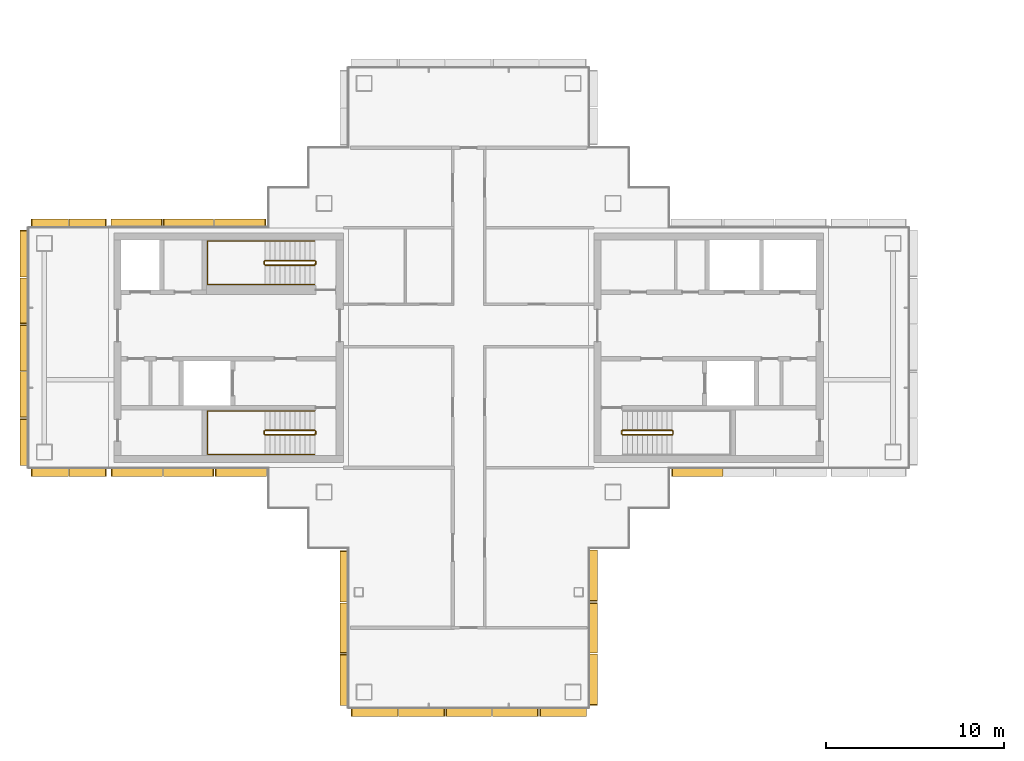
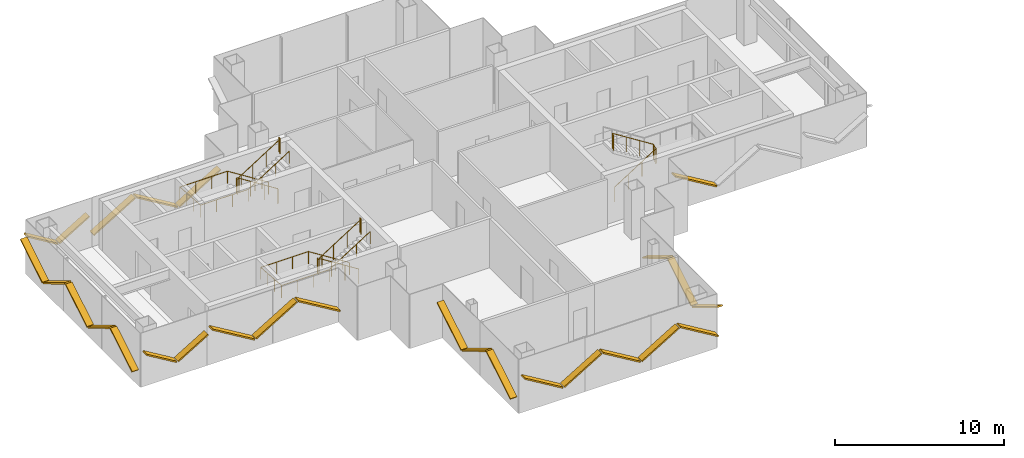
# One storey, part 14 of 17: 27 shading devices, 5 railings.
"""IFC4 building model written with IfcOpenShell, lengths in metres."""

from ifc_helpers import new_model, si_unit, direction, frame, origin, origin_2d, place, context, subcontext, project, spatial, rectangle, circle, extrude, material, material_profile, profile_set, type_object, element, save


model = new_model("IFC4")

# Units and contexts
model_context = context("Model", 3, precision=1e-05, world=origin(), true_north=direction((0.0, 1.0)))
body_context = subcontext(model_context, "Body", "Model", "MODEL_VIEW")
ifc_project = project(units=[si_unit("LENGTHUNIT", "METRE"), si_unit("AREAUNIT", "SQUARE_METRE"), si_unit("VOLUMEUNIT", "CUBIC_METRE"), si_unit("PLANEANGLEUNIT", "RADIAN"), si_unit("MASSUNIT", "GRAM", prefix="KILO")], contexts=[model_context])

# Site, building, storey
site_placement = place(None, origin())
site = spatial("IfcSite", under=ifc_project, at=site_placement, CompositionType="ELEMENT")
building_placement = place(site_placement, origin())
building = spatial("IfcBuilding", under=site, at=building_placement, Name="Shamsa Quay Exchange Towers", CompositionType="ELEMENT")
storey_placement = place(building_placement, frame((0.0, 0.0, 238.199951171875)))
storey = spatial("IfcBuildingStorey", under=building, at=storey_placement, Name="L57", CompositionType="ELEMENT", Elevation=238.199951171875)

# Shading devices
ifc_material_1 = material(Name="Aluminium EN AW-6063 T6, black anodised", Category="aluminium")
ifc_material_profile = material_profile(ifc_material_1, rectangle(XDim=0.449951171875, YDim=0.10009765625, at=origin_2d()), Name="FIN450x100")
ifc_profile_set = profile_set([ifc_material_profile], Name="Aluminium EN AW-6063 T6, black anodised")
shading_device_type = type_object("IfcShadingDeviceType", Name="FIN 450x100 BLACK ALUMINIUM", PredefinedType="USERDEFINED", material=ifc_profile_set)
shading_device_1_placement = place(storey_placement, frame((-40.764892578125, -11.43798828125, 2.452392578125), z_axis=(0.0, -0.857173881605, -0.51502712229), x_axis=(1.0, 0.0, 0.0)))
element("IfcShadingDevice", 1, at=shading_device_1_placement, inside=storey, type_object=shading_device_type, Name="FIN T1 chevron rib", ObjectType="FIN", PredefinedType="USERDEFINED", context=body_context, shape_type="SweptSolid", body=[
    extrude(rectangle(XDim=0.449951171875, YDim=0.10009765625, at=origin_2d()), origin(), (0.0, 0.0, 1.0), 3.310302734375),
])
shading_device_2_placement = place(storey_placement, frame((-40.764892578125, -14.375244140625, 0.7626953125), z_axis=(0.0, -0.857168152113, 0.515036657922), x_axis=(1.0, 0.0, 0.0)))
element("IfcShadingDevice", 2, at=shading_device_2_placement, inside=storey, type_object=shading_device_type, Name="FIN T1 chevron rib", ObjectType="FIN", PredefinedType="USERDEFINED", context=body_context, shape_type="SweptSolid", body=[
    extrude(rectangle(XDim=0.449951171875, YDim=0.10009765625, at=origin_2d()), origin(), (0.0, 0.0, 1.0), 3.251708984375),
])
shading_device_3_placement = place(storey_placement, frame((-40.764892578125, -17.2626953125, 2.452392578125), z_axis=(0.0, -0.857173881605, -0.51502712229), x_axis=(1.0, 0.0, 0.0)))
element("IfcShadingDevice", 3, at=shading_device_3_placement, inside=storey, type_object=shading_device_type, Name="FIN T1 chevron rib", ObjectType="FIN", PredefinedType="USERDEFINED", context=body_context, shape_type="SweptSolid", body=[
    extrude(rectangle(XDim=0.449951171875, YDim=0.10009765625, at=origin_2d()), origin(), (0.0, 0.0, 1.0), 3.310302734375),
])
shading_device_4_placement = place(storey_placement, frame((-40.35009765625, -20.514892578125, 2.378173828125), z_axis=(0.857186216295, 0.0, -0.515006592767), x_axis=(0.0, 1.0, 0.0)))
element("IfcShadingDevice", 4, at=shading_device_4_placement, inside=storey, type_object=shading_device_type, Name="FIN T1 chevron rib", ObjectType="FIN", PredefinedType="USERDEFINED", context=body_context, shape_type="SweptSolid", body=[
    extrude(rectangle(XDim=0.449951171875, YDim=0.10009765625, at=origin_2d()), origin(), (0.0, 0.0, 1.0), 3.021728515625),
])
for number, where, z_axis, x_axis, name in (
    (5, (-37.659912109375, -20.514892578125, 0.8369140625), (0.857158316574, 0.0, 0.515053026714), (0.0, 1.0, 0.0), "FIN T1 chevron rib"),
    (6, (-35.02001953125, -20.514892578125, 2.363037109375), (0.857180172053, 0.0, -0.515016652778), (0.0, 1.0, 0.0), "FIN T1 chevron rib"),
    (7, (-32.3798828125, -20.514892578125, 0.8369140625), (0.857158316574, 0.0, 0.515053026714), (0.0, 1.0, 0.0), "FIN T1 chevron rib"),
):
    element("IfcShadingDevice", number, at=place(storey_placement, frame(where, z_axis=z_axis, x_axis=x_axis)), inside=storey, type_object=shading_device_type, Name=name, ObjectType="FIN", PredefinedType="USERDEFINED", context=body_context, shape_type="SweptSolid", body=[
        extrude(rectangle(XDim=0.449951171875, YDim=0.10009765625, at=origin_2d()), origin(), (0.0, 0.0, 1.0), 2.963134765625),
    ])
shading_device_5_placement = place(storey_placement, frame((-29.739990234375, -20.514892578125, 2.378173828125), z_axis=(0.857186216295, 0.0, -0.515006592767), x_axis=(0.0, 1.0, 0.0)))
element("IfcShadingDevice", 8, at=shading_device_5_placement, inside=storey, type_object=shading_device_type, Name="FIN T1 chevron rib", ObjectType="FIN", PredefinedType="USERDEFINED", context=body_context, shape_type="SweptSolid", body=[
    extrude(rectangle(XDim=0.449951171875, YDim=0.10009765625, at=origin_2d()), origin(), (0.0, 0.0, 1.0), 3.021728515625),
])
shading_device_6_placement = place(storey_placement, frame((-26.735107421875, -20.10009765625, 2.456298828125), z_axis=(0.0, 0.857181785947, -0.515013966646), x_axis=(-1.0, 0.0, 0.0)))
element("IfcShadingDevice", 9, at=shading_device_6_placement, inside=storey, type_object=shading_device_type, Name="FIN T1 chevron rib", ObjectType="FIN", PredefinedType="USERDEFINED", context=body_context, shape_type="SweptSolid", body=[
    extrude(rectangle(XDim=0.449951171875, YDim=0.10009765625, at=origin_2d()), origin(), (0.0, 0.0, 1.0), 3.324951171875),
])
shading_device_7_placement = place(storey_placement, frame((-26.735107421875, -17.14990234375, 0.7587890625), z_axis=(0.0, 0.857156397537, 0.515056220389), x_axis=(-1.0, 0.0, 0.0)))
element("IfcShadingDevice", 10, at=shading_device_7_placement, inside=storey, type_object=shading_device_type, Name="FIN T1 chevron rib", ObjectType="FIN", PredefinedType="USERDEFINED", context=body_context, shape_type="SweptSolid", body=[
    extrude(rectangle(XDim=0.449951171875, YDim=0.10009765625, at=origin_2d()), origin(), (0.0, 0.0, 1.0), 3.266357421875),
])
shading_device_8_placement = place(storey_placement, frame((-26.735107421875, -14.25, 2.456298828125), z_axis=(0.0, 0.857181785947, -0.515013966646), x_axis=(-1.0, 0.0, 0.0)))
element("IfcShadingDevice", 11, at=shading_device_8_placement, inside=storey, type_object=shading_device_type, Name="FIN T1 chevron rib", ObjectType="FIN", PredefinedType="USERDEFINED", context=body_context, shape_type="SweptSolid", body=[
    extrude(rectangle(XDim=0.449951171875, YDim=0.10009765625, at=origin_2d()), origin(), (0.0, 0.0, 1.0), 3.324951171875),
])
for number, where, z_axis, x_axis, name in (
    (12, (-22.31201171875, -7.01904296875, 2.452392578125), (0.857173881605, 0.0, -0.51502712229), (0.0, 1.0, 0.0), "FIN T1 chevron rib"),
    (13, (-45.18798828125, 7.01904296875, 2.452392578125), (-0.857173881605, 0.0, -0.51502712229), (0.0, -1.0, 0.0), "FIN T1 chevron rib"),
):
    element("IfcShadingDevice", number, at=place(storey_placement, frame(where, z_axis=z_axis, x_axis=x_axis)), inside=storey, type_object=shading_device_type, Name=name, ObjectType="FIN", PredefinedType="USERDEFINED", context=body_context, shape_type="SweptSolid", body=[
        extrude(rectangle(XDim=0.449951171875, YDim=0.10009765625, at=origin_2d()), origin(), (0.0, 0.0, 1.0), 3.310302734375),
    ])
shading_device_9_placement = place(storey_placement, frame((-48.125244140625, 7.01904296875, 0.7626953125), z_axis=(-0.857168152113, 0.0, 0.515036657922), x_axis=(0.0, -1.0, 0.0)))
element("IfcShadingDevice", 14, at=shading_device_9_placement, inside=storey, type_object=shading_device_type, Name="FIN T1 chevron rib", ObjectType="FIN", PredefinedType="USERDEFINED", context=body_context, shape_type="SweptSolid", body=[
    extrude(rectangle(XDim=0.449951171875, YDim=0.10009765625, at=origin_2d()), origin(), (0.0, 0.0, 1.0), 3.251708984375),
])
shading_device_10_placement = place(storey_placement, frame((-51.0126953125, 7.01904296875, 2.452392578125), z_axis=(-0.857173881605, 0.0, -0.51502712229), x_axis=(0.0, -1.0, 0.0)))
element("IfcShadingDevice", 15, at=shading_device_10_placement, inside=storey, type_object=shading_device_type, Name="FIN T1 chevron rib", ObjectType="FIN", PredefinedType="USERDEFINED", context=body_context, shape_type="SweptSolid", body=[
    extrude(rectangle(XDim=0.449951171875, YDim=0.10009765625, at=origin_2d()), origin(), (0.0, 0.0, 1.0), 3.310302734375),
])
for number, where, z_axis, x_axis, name in (
    (16, (-54.14990234375, 7.014892578125, 2.2158203125), (-0.857186526385, 0.0, -0.515006076648), (0.0, -1.0, 0.0), "FIN T1 chevron rib"),
    (17, (-56.300048828125, 7.014892578125, 0.984130859375), (-0.857186526385, 0.0, 0.515006076648), (0.0, -1.0, 0.0), "FIN T1 chevron rib"),
):
    element("IfcShadingDevice", number, at=place(storey_placement, frame(where, z_axis=z_axis, x_axis=x_axis)), inside=storey, type_object=shading_device_type, Name=name, ObjectType="FIN", PredefinedType="USERDEFINED", context=body_context, shape_type="SweptSolid", body=[
        extrude(rectangle(XDim=0.449951171875, YDim=0.10009765625, at=origin_2d()), origin(), (0.0, 0.0, 1.0), 2.3916015625),
    ])
shading_device_11_placement = place(storey_placement, frame((-58.764892578125, 6.60009765625, 2.378173828125), z_axis=(0.0, -0.857186216295, -0.515006592767), x_axis=(1.0, 0.0, 0.0)))
element("IfcShadingDevice", 18, at=shading_device_11_placement, inside=storey, type_object=shading_device_type, Name="FIN T1 chevron rib", ObjectType="FIN", PredefinedType="USERDEFINED", context=body_context, shape_type="SweptSolid", body=[
    extrude(rectangle(XDim=0.449951171875, YDim=0.10009765625, at=origin_2d()), origin(), (0.0, 0.0, 1.0), 3.021728515625),
])
for number, where, z_axis, x_axis, name in (
    (19, (-58.764892578125, 3.909912109375, 0.8369140625), (0.0, -0.857158316574, 0.515053026714), (1.0, 0.0, 0.0), "FIN T1 chevron rib"),
    (20, (-58.764892578125, 1.27001953125, 2.363037109375), (0.0, -0.857180172053, -0.515016652778), (1.0, 0.0, 0.0), "FIN T1 chevron rib"),
    (21, (-58.764892578125, -1.3701171875, 0.8369140625), (0.0, -0.857158316574, 0.515053026714), (1.0, 0.0, 0.0), "FIN T1 chevron rib"),
):
    element("IfcShadingDevice", number, at=place(storey_placement, frame(where, z_axis=z_axis, x_axis=x_axis)), inside=storey, type_object=shading_device_type, Name=name, ObjectType="FIN", PredefinedType="USERDEFINED", context=body_context, shape_type="SweptSolid", body=[
        extrude(rectangle(XDim=0.449951171875, YDim=0.10009765625, at=origin_2d()), origin(), (0.0, 0.0, 1.0), 2.963134765625),
    ])
shading_device_12_placement = place(storey_placement, frame((-58.764892578125, -4.010009765625, 2.378173828125), z_axis=(0.0, -0.857186216295, -0.515006592767), x_axis=(1.0, 0.0, 0.0)))
element("IfcShadingDevice", 22, at=shading_device_12_placement, inside=storey, type_object=shading_device_type, Name="FIN T1 chevron rib", ObjectType="FIN", PredefinedType="USERDEFINED", context=body_context, shape_type="SweptSolid", body=[
    extrude(rectangle(XDim=0.449951171875, YDim=0.10009765625, at=origin_2d()), origin(), (0.0, 0.0, 1.0), 3.021728515625),
])
for number, where, z_axis, x_axis, name in (
    (23, (-58.35009765625, -7.014892578125, 2.2158203125), (0.857186526385, 0.0, -0.515006076648), (0.0, 1.0, 0.0), "FIN T1 chevron rib"),
    (24, (-56.199951171875, -7.014892578125, 0.984130859375), (0.857186526385, 0.0, 0.515006076648), (0.0, 1.0, 0.0), "FIN T1 chevron rib"),
):
    element("IfcShadingDevice", number, at=place(storey_placement, frame(where, z_axis=z_axis, x_axis=x_axis)), inside=storey, type_object=shading_device_type, Name=name, ObjectType="FIN", PredefinedType="USERDEFINED", context=body_context, shape_type="SweptSolid", body=[
        extrude(rectangle(XDim=0.449951171875, YDim=0.10009765625, at=origin_2d()), origin(), (0.0, 0.0, 1.0), 2.3916015625),
    ])
shading_device_13_placement = place(storey_placement, frame((-53.85009765625, -7.01904296875, 2.456298828125), z_axis=(0.857181785947, 0.0, -0.515013966646), x_axis=(0.0, 1.0, 0.0)))
element("IfcShadingDevice", 25, at=shading_device_13_placement, inside=storey, type_object=shading_device_type, Name="FIN T1 chevron rib", ObjectType="FIN", PredefinedType="USERDEFINED", context=body_context, shape_type="SweptSolid", body=[
    extrude(rectangle(XDim=0.449951171875, YDim=0.10009765625, at=origin_2d()), origin(), (0.0, 0.0, 1.0), 3.324951171875),
])
shading_device_14_placement = place(storey_placement, frame((-50.89990234375, -7.01904296875, 0.7587890625), z_axis=(0.857156397537, 0.0, 0.515056220389), x_axis=(0.0, 1.0, 0.0)))
element("IfcShadingDevice", 26, at=shading_device_14_placement, inside=storey, type_object=shading_device_type, Name="FIN T1 chevron rib", ObjectType="FIN", PredefinedType="USERDEFINED", context=body_context, shape_type="SweptSolid", body=[
    extrude(rectangle(XDim=0.449951171875, YDim=0.10009765625, at=origin_2d()), origin(), (0.0, 0.0, 1.0), 3.266357421875),
])
shading_device_15_placement = place(storey_placement, frame((-48.0, -7.01904296875, 2.456298828125), z_axis=(0.857181785947, 0.0, -0.515013966646), x_axis=(0.0, 1.0, 0.0)))
element("IfcShadingDevice", 27, at=shading_device_15_placement, inside=storey, type_object=shading_device_type, Name="FIN T1 chevron rib", ObjectType="FIN", PredefinedType="USERDEFINED", context=body_context, shape_type="SweptSolid", body=[
    extrude(rectangle(XDim=0.449951171875, YDim=0.10009765625, at=origin_2d()), origin(), (0.0, 0.0, 1.0), 3.324951171875),
])

# Railings
ifc_material_2 = material(Name="Stainless steel", Category="steel")
railing_type_1 = type_object("IfcRailingType", Name="STAIR GUARD 1100", PredefinedType="GUARDRAIL", material=ifc_material_2)
railing_1_placement = place(storey_placement, frame((-25.10009765625, -4.89990234375, 0.17724609375)))
element("IfcRailing", 28, at=railing_1_placement, inside=storey, type_object=railing_type_1, Name="L57 ST1 stair guard 1", PredefinedType="GUARDRAIL", context=body_context, shape_type="SweptSolid", body=[
    extrude(circle(Radius=0.02392578125, at=origin_2d()), frame((0.0, 0.0, 1.076171875), z_axis=(0.844908973607, 0.0, 0.534910110503), x_axis=(0.0, 1.0, 0.0)), (0.0, 0.0, 1.0), 3.31396484375),
    extrude(circle(Radius=0.02392578125, at=origin_2d()), frame((2.800048828125, 0.0, 2.8486328125), z_axis=(0.708833529934, 0.705375805398, 0.0), x_axis=(-0.705375805398, 0.708833529934, 0.0)), (0.0, 0.0, 1.0), 0.070556640625),
    extrude(circle(Radius=0.02392578125, at=origin_2d()), frame((2.85009765625, 0.0498046875, 2.8486328125), z_axis=(0.0, 1.0, 0.0), x_axis=(-1.0, 0.0, 0.0)), (0.0, 0.0, 1.0), 0.150146484375),
    extrude(circle(Radius=0.02392578125, at=origin_2d()), frame((2.85009765625, 0.199951171875, 2.8486328125), z_axis=(-0.261922500866, 0.261922500866, 0.928866625022), x_axis=(-0.707106781187, -0.707106781187, 0.0)), (0.0, 0.0, 1.0), 0.191162109375),
    extrude(circle(Radius=0.02392578125, at=origin_2d()), frame((2.800048828125, 0.25, 3.0263671875), z_axis=(-0.844908973607, 0.0, 0.534910110503), x_axis=(0.0, -1.0, 0.0)), (0.0, 0.0, 1.0), 3.31396484375),
    extrude(circle(Radius=0.02392578125, at=origin_2d()), frame((0.0, 0.25, 4.798828125), z_axis=(-0.24142163986, -0.970420317083, 0.0), x_axis=(0.970420317083, -0.24142163986, 0.0)), (0.0, 0.0, 1.0), 0.206298828125),
    extrude(circle(Radius=0.02392578125, at=origin_2d()), frame((-0.0498046875, 0.0498046875, 4.798828125), z_axis=(0.0, 1.0, 0.0), x_axis=(-1.0, 0.0, 0.0)), (0.0, 0.0, 1.0), 0.150146484375),
    extrude(circle(Radius=0.02099609375, at=origin_2d()), origin(), (0.0, 0.0, 1.0), 1.052001953125),
    extrude(circle(Radius=0.02099609375, at=origin_2d()), frame((0.933349609375, 0.0, 0.5908203125)), (0.0, 0.0, 1.0), 1.052001953125),
    extrude(circle(Radius=0.02099609375, at=origin_2d()), frame((1.86669921875, 0.0, 1.181884765625)), (0.0, 0.0, 1.0), 1.052001953125),
    extrude(circle(Radius=0.02099609375, at=origin_2d()), frame((2.800048828125, 0.0, 1.772705078125)), (0.0, 0.0, 1.0), 1.052001953125),
    extrude(circle(Radius=0.02099609375, at=origin_2d()), frame((2.85009765625, 0.0498046875, 1.772705078125)), (0.0, 0.0, 1.0), 1.052001953125),
    extrude(circle(Radius=0.02099609375, at=origin_2d()), frame((2.85009765625, 0.199951171875, 1.772705078125)), (0.0, 0.0, 1.0), 1.052001953125),
    extrude(circle(Radius=0.02099609375, at=origin_2d()), frame((2.800048828125, 0.25, 1.9501953125)), (0.0, 0.0, 1.0), 1.052001953125),
    extrude(circle(Radius=0.02099609375, at=origin_2d()), frame((1.86669921875, 0.25, 2.541015625)), (0.0, 0.0, 1.0), 1.052001953125),
    extrude(circle(Radius=0.02099609375, at=origin_2d()), frame((0.933349609375, 0.25, 3.132080078125)), (0.0, 0.0, 1.0), 1.052001953125),
    extrude(circle(Radius=0.02099609375, at=origin_2d()), frame((0.0, 0.25, 3.722900390625)), (0.0, 0.0, 1.0), 1.052001953125),
    extrude(circle(Radius=0.02099609375, at=origin_2d()), frame((-0.0498046875, 0.0498046875, 3.722900390625)), (0.0, 0.0, 1.0), 1.052001953125),
    extrude(circle(Radius=0.02099609375, at=origin_2d()), frame((-0.0498046875, 0.199951171875, 3.722900390625)), (0.0, 0.0, 1.0), 1.052001953125),
])
railing_2_placement = place(storey_placement, frame((-42.39990234375, -4.64990234375, 0.17724609375)))
element("IfcRailing", 29, at=railing_2_placement, inside=storey, type_object=railing_type_1, Name="L57 ST2 stair guard 1", PredefinedType="GUARDRAIL", context=body_context, shape_type="SweptSolid", body=[
    extrude(circle(Radius=0.02392578125, at=origin_2d()), frame((0.0, 0.0, 1.076171875), z_axis=(-0.844908973607, 0.0, 0.534910110503), x_axis=(0.0, -1.0, 0.0)), (0.0, 0.0, 1.0), 3.31396484375),
    extrude(circle(Radius=0.02392578125, at=origin_2d()), frame((-2.800048828125, 0.0, 2.8486328125), z_axis=(-0.707106781187, -0.707106781187, 0.0), x_axis=(0.707106781187, -0.707106781187, 0.0)), (0.0, 0.0, 1.0), 0.07080078125),
    extrude(circle(Radius=0.02392578125, at=origin_2d()), frame((-2.85009765625, -0.050048828125, 2.8486328125), z_axis=(0.0, -1.0, 0.0), x_axis=(1.0, 0.0, 0.0)), (0.0, 0.0, 1.0), 0.150146484375),
    extrude(circle(Radius=0.02392578125, at=origin_2d()), frame((-2.85009765625, -0.2001953125, 2.8486328125), z_axis=(0.262009983441, -0.260731885961, 0.929176868105), x_axis=(0.705375805398, 0.708833529934, 0.0)), (0.0, 0.0, 1.0), 0.19091796875),
    extrude(circle(Radius=0.02392578125, at=origin_2d()), frame((-2.800048828125, -0.25, 3.0263671875), z_axis=(0.844908973607, 0.0, 0.534910110503), x_axis=(0.0, 1.0, 0.0)), (0.0, 0.0, 1.0), 3.31396484375),
    extrude(circle(Radius=0.02392578125, at=origin_2d()), frame((0.0, -0.25, 4.798828125), z_axis=(0.241699205484, 0.970351222016, 0.0), x_axis=(-0.970351222016, 0.241699205484, 0.0)), (0.0, 0.0, 1.0), 0.2060546875),
    extrude(circle(Radius=0.02392578125, at=origin_2d()), frame((0.0498046875, -0.050048828125, 4.798828125), z_axis=(0.0, -1.0, 0.0), x_axis=(1.0, 0.0, 0.0)), (0.0, 0.0, 1.0), 0.150146484375),
    extrude(circle(Radius=0.02099609375, at=origin_2d()), origin(), (0.0, 0.0, 1.0), 1.052001953125),
    extrude(circle(Radius=0.02099609375, at=origin_2d()), frame((-0.933349609375, 0.0, 0.5908203125)), (0.0, 0.0, 1.0), 1.052001953125),
    extrude(circle(Radius=0.02099609375, at=origin_2d()), frame((-1.86669921875, 0.0, 1.181884765625)), (0.0, 0.0, 1.0), 1.052001953125),
    extrude(circle(Radius=0.02099609375, at=origin_2d()), frame((-2.800048828125, 0.0, 1.772705078125)), (0.0, 0.0, 1.0), 1.052001953125),
    extrude(circle(Radius=0.02099609375, at=origin_2d()), frame((-2.85009765625, -0.050048828125, 1.772705078125)), (0.0, 0.0, 1.0), 1.052001953125),
    extrude(circle(Radius=0.02099609375, at=origin_2d()), frame((-2.85009765625, -0.2001953125, 1.772705078125)), (0.0, 0.0, 1.0), 1.052001953125),
    extrude(circle(Radius=0.02099609375, at=origin_2d()), frame((-2.800048828125, -0.25, 1.9501953125)), (0.0, 0.0, 1.0), 1.052001953125),
    extrude(circle(Radius=0.02099609375, at=origin_2d()), frame((-1.86669921875, -0.25, 2.541015625)), (0.0, 0.0, 1.0), 1.052001953125),
    extrude(circle(Radius=0.02099609375, at=origin_2d()), frame((-0.933349609375, -0.25, 3.132080078125)), (0.0, 0.0, 1.0), 1.052001953125),
    extrude(circle(Radius=0.02099609375, at=origin_2d()), frame((0.0, -0.25, 3.722900390625)), (0.0, 0.0, 1.0), 1.052001953125),
    extrude(circle(Radius=0.02099609375, at=origin_2d()), frame((0.0498046875, -0.050048828125, 3.722900390625)), (0.0, 0.0, 1.0), 1.052001953125),
    extrude(circle(Radius=0.02099609375, at=origin_2d()), frame((0.0498046875, -0.2001953125, 3.722900390625)), (0.0, 0.0, 1.0), 1.052001953125),
])
railing_3_placement = place(storey_placement, frame((-42.39990234375, 4.89990234375, 0.17724609375)))
element("IfcRailing", 30, at=railing_3_placement, inside=storey, type_object=railing_type_1, Name="L57 ST3 stair guard 1", PredefinedType="GUARDRAIL", context=body_context, shape_type="SweptSolid", body=[
    extrude(circle(Radius=0.02392578125, at=origin_2d()), frame((0.0, 0.0, 1.076171875), z_axis=(-0.844908973607, 0.0, 0.534910110503), x_axis=(0.0, -1.0, 0.0)), (0.0, 0.0, 1.0), 3.31396484375),
    extrude(circle(Radius=0.02392578125, at=origin_2d()), frame((-2.800048828125, 0.0, 2.8486328125), z_axis=(-0.708833529934, -0.705375805398, 0.0), x_axis=(0.705375805398, -0.708833529934, 0.0)), (0.0, 0.0, 1.0), 0.070556640625),
    extrude(circle(Radius=0.02392578125, at=origin_2d()), frame((-2.85009765625, -0.0498046875, 2.8486328125), z_axis=(0.0, -1.0, 0.0), x_axis=(1.0, 0.0, 0.0)), (0.0, 0.0, 1.0), 0.150146484375),
    extrude(circle(Radius=0.02392578125, at=origin_2d()), frame((-2.85009765625, -0.199951171875, 2.8486328125), z_axis=(0.261922500866, -0.261922500866, 0.928866625022), x_axis=(0.707106781187, 0.707106781187, 0.0)), (0.0, 0.0, 1.0), 0.191162109375),
    extrude(circle(Radius=0.02392578125, at=origin_2d()), frame((-2.800048828125, -0.25, 3.0263671875), z_axis=(0.844908973607, 0.0, 0.534910110503), x_axis=(0.0, 1.0, 0.0)), (0.0, 0.0, 1.0), 3.31396484375),
    extrude(circle(Radius=0.02392578125, at=origin_2d()), frame((0.0, -0.25, 4.798828125), z_axis=(0.24142163986, 0.970420317083, 0.0), x_axis=(-0.970420317083, 0.24142163986, 0.0)), (0.0, 0.0, 1.0), 0.206298828125),
    extrude(circle(Radius=0.02392578125, at=origin_2d()), frame((0.0498046875, -0.0498046875, 4.798828125), z_axis=(0.0, -1.0, 0.0), x_axis=(1.0, 0.0, 0.0)), (0.0, 0.0, 1.0), 0.150146484375),
    extrude(circle(Radius=0.02099609375, at=origin_2d()), origin(), (0.0, 0.0, 1.0), 1.052001953125),
    extrude(circle(Radius=0.02099609375, at=origin_2d()), frame((-0.933349609375, 0.0, 0.5908203125)), (0.0, 0.0, 1.0), 1.052001953125),
    extrude(circle(Radius=0.02099609375, at=origin_2d()), frame((-1.86669921875, 0.0, 1.181884765625)), (0.0, 0.0, 1.0), 1.052001953125),
    extrude(circle(Radius=0.02099609375, at=origin_2d()), frame((-2.800048828125, 0.0, 1.772705078125)), (0.0, 0.0, 1.0), 1.052001953125),
    extrude(circle(Radius=0.02099609375, at=origin_2d()), frame((-2.85009765625, -0.0498046875, 1.772705078125)), (0.0, 0.0, 1.0), 1.052001953125),
    extrude(circle(Radius=0.02099609375, at=origin_2d()), frame((-2.85009765625, -0.199951171875, 1.772705078125)), (0.0, 0.0, 1.0), 1.052001953125),
    extrude(circle(Radius=0.02099609375, at=origin_2d()), frame((-2.800048828125, -0.25, 1.9501953125)), (0.0, 0.0, 1.0), 1.052001953125),
    extrude(circle(Radius=0.02099609375, at=origin_2d()), frame((-1.86669921875, -0.25, 2.541015625)), (0.0, 0.0, 1.0), 1.052001953125),
    extrude(circle(Radius=0.02099609375, at=origin_2d()), frame((-0.933349609375, -0.25, 3.132080078125)), (0.0, 0.0, 1.0), 1.052001953125),
    extrude(circle(Radius=0.02099609375, at=origin_2d()), frame((0.0, -0.25, 3.722900390625)), (0.0, 0.0, 1.0), 1.052001953125),
    extrude(circle(Radius=0.02099609375, at=origin_2d()), frame((0.0498046875, -0.0498046875, 3.722900390625)), (0.0, 0.0, 1.0), 1.052001953125),
    extrude(circle(Radius=0.02099609375, at=origin_2d()), frame((0.0498046875, -0.199951171875, 3.722900390625)), (0.0, 0.0, 1.0), 1.052001953125),
])
railing_type_2 = type_object("IfcRailingType", Name="STAIR HANDRAIL 900", PredefinedType="HANDRAIL", material=ifc_material_2)
railing_4_placement = place(storey_placement, frame((-42.39990234375, -3.550048828125, 0.17724609375)))
element("IfcRailing", 31, at=railing_4_placement, inside=storey, type_object=railing_type_2, Name="L57 ST2 stair handrail 1", PredefinedType="HANDRAIL", context=body_context, shape_type="SweptSolid", body=[
    extrude(circle(Radius=0.02392578125, at=origin_2d()), frame((0.0, 0.0, 0.8759765625), z_axis=(-0.844908973607, 0.0, 0.534910110503), x_axis=(0.0, -1.0, 0.0)), (0.0, 0.0, 1.0), 3.31396484375),
    extrude(circle(Radius=0.02392578125, at=origin_2d()), frame((-2.800048828125, 0.0, 2.6484375), z_axis=(-1.0, 0.0, 0.0), x_axis=(0.0, -1.0, 0.0)), (0.0, 0.0, 1.0), 3.25),
    extrude(circle(Radius=0.02392578125, at=origin_2d()), frame((-6.050048828125, 0.0, 2.6484375), z_axis=(0.0, -0.997386041853, 0.072257065513), x_axis=(1.0, 0.0, 0.0)), (0.0, 0.0, 1.0), 2.456298828125),
    extrude(circle(Radius=0.02392578125, at=origin_2d()), frame((-6.050048828125, -2.449951171875, 2.826171875), z_axis=(1.0, 0.0, 0.0), x_axis=(0.0, 1.0, 0.0)), (0.0, 0.0, 1.0), 3.25),
    extrude(circle(Radius=0.02392578125, at=origin_2d()), frame((-2.800048828125, -2.449951171875, 2.826171875), z_axis=(0.844908973607, 0.0, 0.534910110503), x_axis=(0.0, 1.0, 0.0)), (0.0, 0.0, 1.0), 3.31396484375),
    extrude(circle(Radius=0.02099609375, at=origin_2d()), origin(), (0.0, 0.0, 1.0), 0.851806640625),
    extrude(circle(Radius=0.02099609375, at=origin_2d()), frame((-0.933349609375, 0.0, 0.5908203125)), (0.0, 0.0, 1.0), 0.851806640625),
    extrude(circle(Radius=0.02099609375, at=origin_2d()), frame((-1.86669921875, 0.0, 1.181884765625)), (0.0, 0.0, 1.0), 0.851806640625),
    extrude(circle(Radius=0.02099609375, at=origin_2d()), frame((-2.800048828125, 0.0, 1.772705078125)), (0.0, 0.0, 1.0), 0.851806640625),
    extrude(circle(Radius=0.02099609375, at=origin_2d()), frame((-3.88330078125, 0.0, 1.772705078125)), (0.0, 0.0, 1.0), 0.851806640625),
    extrude(circle(Radius=0.02099609375, at=origin_2d()), frame((-4.966796875, 0.0, 1.772705078125)), (0.0, 0.0, 1.0), 0.851806640625),
    extrude(circle(Radius=0.02099609375, at=origin_2d()), frame((-6.050048828125, 0.0, 1.772705078125)), (0.0, 0.0, 1.0), 0.851806640625),
    extrude(circle(Radius=0.02099609375, at=origin_2d()), frame((-6.050048828125, -0.816650390625, 1.831787109375)), (0.0, 0.0, 1.0), 0.851806640625),
    extrude(circle(Radius=0.02099609375, at=origin_2d()), frame((-6.050048828125, -1.63330078125, 1.89111328125)), (0.0, 0.0, 1.0), 0.851806640625),
    extrude(circle(Radius=0.02099609375, at=origin_2d()), frame((-6.050048828125, -2.449951171875, 1.9501953125)), (0.0, 0.0, 1.0), 0.851806640625),
    extrude(circle(Radius=0.02099609375, at=origin_2d()), frame((-4.966796875, -2.449951171875, 1.9501953125)), (0.0, 0.0, 1.0), 0.851806640625),
    extrude(circle(Radius=0.02099609375, at=origin_2d()), frame((-3.88330078125, -2.449951171875, 1.9501953125)), (0.0, 0.0, 1.0), 0.851806640625),
    extrude(circle(Radius=0.02099609375, at=origin_2d()), frame((-2.800048828125, -2.449951171875, 1.9501953125)), (0.0, 0.0, 1.0), 0.851806640625),
    extrude(circle(Radius=0.02099609375, at=origin_2d()), frame((-1.86669921875, -2.449951171875, 2.541015625)), (0.0, 0.0, 1.0), 0.851806640625),
    extrude(circle(Radius=0.02099609375, at=origin_2d()), frame((-0.933349609375, -2.449951171875, 3.132080078125)), (0.0, 0.0, 1.0), 0.851806640625),
    extrude(circle(Radius=0.02099609375, at=origin_2d()), frame((0.0, -2.449951171875, 3.722900390625)), (0.0, 0.0, 1.0), 0.851806640625),
])
railing_5_placement = place(storey_placement, frame((-42.39990234375, 6.0, 0.17724609375)))
element("IfcRailing", 32, at=railing_5_placement, inside=storey, type_object=railing_type_2, Name="L57 ST3 stair handrail 1", PredefinedType="HANDRAIL", context=body_context, shape_type="SweptSolid", body=[
    extrude(circle(Radius=0.02392578125, at=origin_2d()), frame((0.0, 0.0, 0.8759765625), z_axis=(-0.844908973607, 0.0, 0.534910110503), x_axis=(0.0, -1.0, 0.0)), (0.0, 0.0, 1.0), 3.31396484375),
    extrude(circle(Radius=0.02392578125, at=origin_2d()), frame((-2.800048828125, 0.0, 2.6484375), z_axis=(-1.0, 0.0, 0.0), x_axis=(0.0, -1.0, 0.0)), (0.0, 0.0, 1.0), 3.25),
    extrude(circle(Radius=0.02392578125, at=origin_2d()), frame((-6.050048828125, 0.0, 2.6484375), z_axis=(0.0, -0.997386041853, 0.072257065513), x_axis=(1.0, 0.0, 0.0)), (0.0, 0.0, 1.0), 2.456298828125),
    extrude(circle(Radius=0.02392578125, at=origin_2d()), frame((-6.050048828125, -2.449951171875, 2.826171875), z_axis=(1.0, 0.0, 0.0), x_axis=(0.0, 1.0, 0.0)), (0.0, 0.0, 1.0), 3.25),
    extrude(circle(Radius=0.02392578125, at=origin_2d()), frame((-2.800048828125, -2.449951171875, 2.826171875), z_axis=(0.844908973607, 0.0, 0.534910110503), x_axis=(0.0, 1.0, 0.0)), (0.0, 0.0, 1.0), 3.31396484375),
    extrude(circle(Radius=0.02099609375, at=origin_2d()), origin(), (0.0, 0.0, 1.0), 0.851806640625),
    extrude(circle(Radius=0.02099609375, at=origin_2d()), frame((-0.933349609375, 0.0, 0.5908203125)), (0.0, 0.0, 1.0), 0.851806640625),
    extrude(circle(Radius=0.02099609375, at=origin_2d()), frame((-1.86669921875, 0.0, 1.181884765625)), (0.0, 0.0, 1.0), 0.851806640625),
    extrude(circle(Radius=0.02099609375, at=origin_2d()), frame((-2.800048828125, 0.0, 1.772705078125)), (0.0, 0.0, 1.0), 0.851806640625),
    extrude(circle(Radius=0.02099609375, at=origin_2d()), frame((-3.88330078125, 0.0, 1.772705078125)), (0.0, 0.0, 1.0), 0.851806640625),
    extrude(circle(Radius=0.02099609375, at=origin_2d()), frame((-4.966796875, 0.0, 1.772705078125)), (0.0, 0.0, 1.0), 0.851806640625),
    extrude(circle(Radius=0.02099609375, at=origin_2d()), frame((-6.050048828125, 0.0, 1.772705078125)), (0.0, 0.0, 1.0), 0.851806640625),
    extrude(circle(Radius=0.02099609375, at=origin_2d()), frame((-6.050048828125, -0.816650390625, 1.831787109375)), (0.0, 0.0, 1.0), 0.851806640625),
    extrude(circle(Radius=0.02099609375, at=origin_2d()), frame((-6.050048828125, -1.63330078125, 1.89111328125)), (0.0, 0.0, 1.0), 0.851806640625),
    extrude(circle(Radius=0.02099609375, at=origin_2d()), frame((-6.050048828125, -2.449951171875, 1.9501953125)), (0.0, 0.0, 1.0), 0.851806640625),
    extrude(circle(Radius=0.02099609375, at=origin_2d()), frame((-4.966796875, -2.449951171875, 1.9501953125)), (0.0, 0.0, 1.0), 0.851806640625),
    extrude(circle(Radius=0.02099609375, at=origin_2d()), frame((-3.88330078125, -2.449951171875, 1.9501953125)), (0.0, 0.0, 1.0), 0.851806640625),
    extrude(circle(Radius=0.02099609375, at=origin_2d()), frame((-2.800048828125, -2.449951171875, 1.9501953125)), (0.0, 0.0, 1.0), 0.851806640625),
    extrude(circle(Radius=0.02099609375, at=origin_2d()), frame((-1.86669921875, -2.449951171875, 2.541015625)), (0.0, 0.0, 1.0), 0.851806640625),
    extrude(circle(Radius=0.02099609375, at=origin_2d()), frame((-0.933349609375, -2.449951171875, 3.132080078125)), (0.0, 0.0, 1.0), 0.851806640625),
    extrude(circle(Radius=0.02099609375, at=origin_2d()), frame((0.0, -2.449951171875, 3.722900390625)), (0.0, 0.0, 1.0), 0.851806640625),
])

save(model, "model.ifc")
